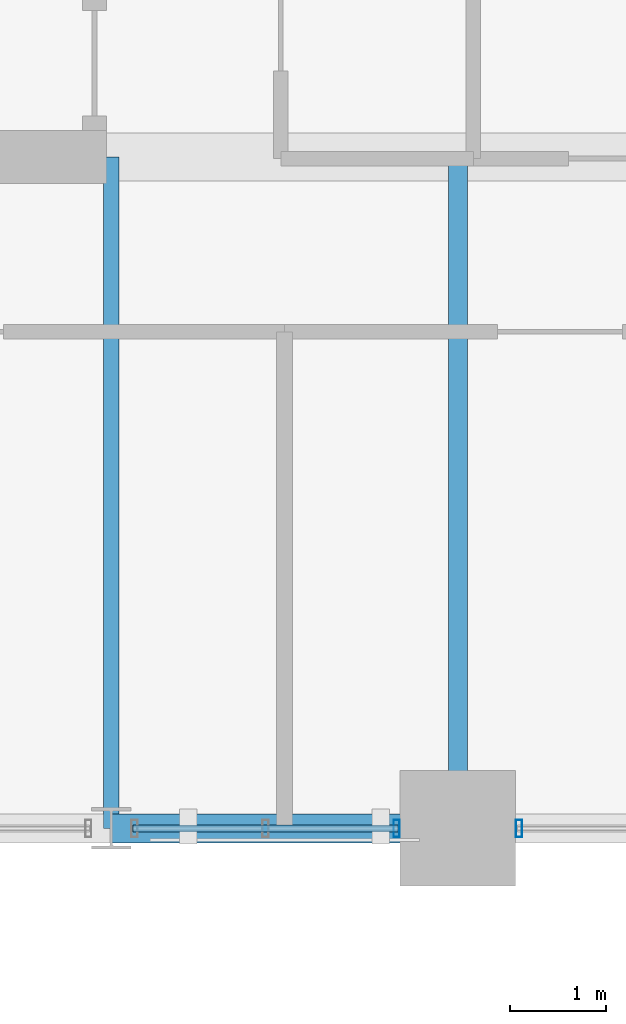
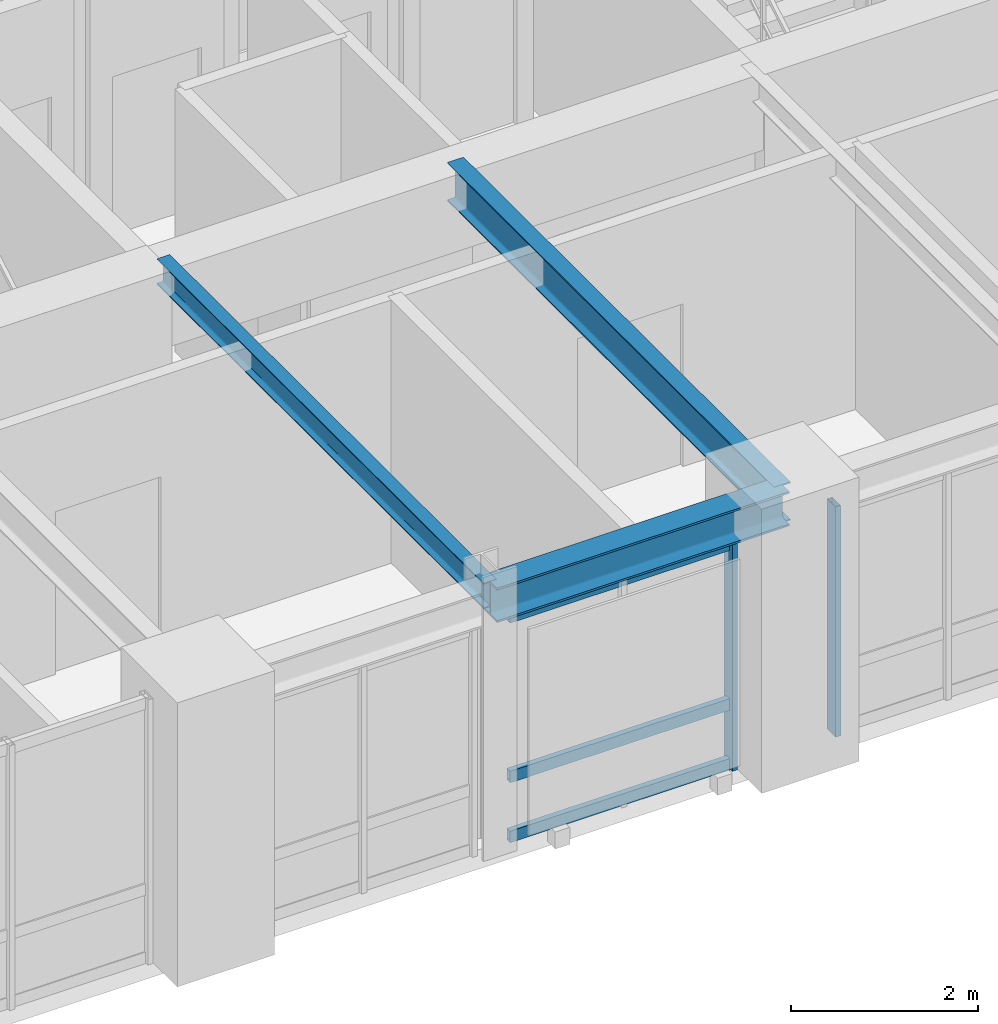
# One storey, part 3 of 16: 5 members, 3 beams, 2 elements without a shape of their own.
"""IFC4 building model written with IfcOpenShell, lengths in metres."""

from ifc_helpers import new_model, si_unit, direction, frame, origin, origin_2d, place, context, subcontext, project, spatial, hollow_rectangle, i_section, extrude, source, transform, mapped, material, layer, layer_set, material_profile, profile_set, type_object, element, aggregate, save


model = new_model("IFC4")

# Units and contexts
model_context = context("Model", 3, precision=1e-05, world=origin(), true_north=direction((0.0, 1.0)))
body_context = subcontext(model_context, "Body", "Model", "MODEL_VIEW")
ifc_project = project(units=[si_unit("LENGTHUNIT", "METRE"), si_unit("AREAUNIT", "SQUARE_METRE"), si_unit("VOLUMEUNIT", "CUBIC_METRE"), si_unit("PLANEANGLEUNIT", "RADIAN"), si_unit("MASSUNIT", "GRAM", prefix="KILO")], contexts=[model_context])

# Site, building, storey
site_placement = place(None, origin())
site = spatial("IfcSite", under=ifc_project, at=site_placement, CompositionType="ELEMENT")
building_placement = place(site_placement, origin())
building = spatial("IfcBuilding", under=site, at=building_placement, Name="Kaliganga Portal Commons", CompositionType="ELEMENT")
storey_placement = place(building_placement, frame((0.0, 0.0, 97.10009765625)))
storey = spatial("IfcBuildingStorey", under=building, at=storey_placement, Name="L24", CompositionType="ELEMENT", Elevation=97.10009765625)

# Beams
ifc_material_1 = material(Name="Structural steel S355J2", Category="steel")
ifc_material_profile_1 = material_profile(ifc_material_1, i_section(OverallWidth=0.199951171875, OverallDepth=0.5, WebThickness=0.01025390625, FlangeThickness=0.01611328125, FilletRadius=0.02099609375, at=origin_2d()), Name="IPE 500")
ifc_profile_set_1 = profile_set([ifc_material_profile_1], Name="Structural steel S355J2 wide-flange")
beam_type_1 = type_object("IfcBeamType", Name="BM-FLR-500", PredefinedType="BEAM", material=ifc_profile_set_1)
shared_shape_1 = source(origin(), body_context, "Body", "SweptSolid", [
    extrude(i_section(OverallWidth=0.199951171875, OverallDepth=0.5, WebThickness=0.01025390625, FlangeThickness=0.01611328125, FilletRadius=0.02099609375, at=origin_2d()), origin(), (0.0, 0.0, 1.0), 6.974853515625),
])
beam_1_placement = place(storey_placement, frame((21.60009765625, 21.60009765625, 3.199951171875), z_axis=(0.0, 1.0, 0.0), x_axis=(-1.0, 0.0, 0.0)))
element("IfcBeam", 1, at=beam_1_placement, inside=storey, type_object=beam_type_1, Name="BM G L24 AS216", PredefinedType="BEAM", context=body_context, shape_type="MappedRepresentation", body=[
    mapped(shared_shape_1, transform((0.0, 0.0, 0.0), x_axis=(1.0, 0.0, 0.0), y_axis=(0.0, 1.0, 0.0), z_axis=(0.0, 0.0, 1.0), scale=1.0)),
])
ifc_material_profile_2 = material_profile(ifc_material_1, i_section(OverallWidth=0.300048828125, OverallDepth=0.449951171875, WebThickness=0.013916015625, FlangeThickness=0.02587890625, FilletRadius=0.027099609375, at=origin_2d()), Name="HE 450 B")
ifc_profile_set_2 = profile_set([ifc_material_profile_2], Name="Structural steel S355J2 wide-flange")
beam_type_2 = type_object("IfcBeamType", Name="BM-SPAND-450", PredefinedType="SPANDREL", material=ifc_profile_set_2)
shared_shape_2 = source(origin(), body_context, "Body", "SweptSolid", [
    extrude(i_section(OverallWidth=0.300048828125, OverallDepth=0.449951171875, WebThickness=0.013916015625, FlangeThickness=0.02587890625, FilletRadius=0.027099609375, at=origin_2d()), origin(), (0.0, 0.0, 1.0), 3.60009765625),
])
beam_2_placement = place(storey_placement, frame((18.0, 21.60009765625, 3.224853515625), z_axis=(1.0, 0.0, 0.0), x_axis=(0.0, 1.0, 0.0)))
element("IfcBeam", 2, at=beam_2_placement, inside=storey, type_object=beam_type_2, Name="BM SP L24 AS 2", PredefinedType="SPANDREL", context=body_context, shape_type="MappedRepresentation", body=[
    mapped(shared_shape_2, transform((0.0, 0.0, 0.0), x_axis=(1.0, 0.0, 0.0), y_axis=(0.0, 1.0, 0.0), z_axis=(0.0, 0.0, 1.0), scale=1.0)),
])
ifc_material_profile_3 = material_profile(ifc_material_1, i_section(OverallWidth=0.159912109375, OverallDepth=0.330078125, WebThickness=0.007568359375, FlangeThickness=0.011474609375, FilletRadius=0.01806640625, at=origin_2d()), Name="IPE 330")
ifc_profile_set_3 = profile_set([ifc_material_profile_3], Name="Structural steel S355J2 wide-flange")
beam_type_3 = type_object("IfcBeamType", Name="BM-JST-330", PredefinedType="JOIST", material=ifc_profile_set_3)
shared_shape_3 = source(origin(), body_context, "Body", "SweptSolid", [
    extrude(i_section(OverallWidth=0.159912109375, OverallDepth=0.330078125, WebThickness=0.007568359375, FlangeThickness=0.011474609375, FilletRadius=0.01806640625, at=origin_2d()), origin(), (0.0, 0.0, 1.0), 6.974853515625),
])
beam_3_placement = place(storey_placement, frame((18.0, 21.60009765625, 3.284912109375), z_axis=(0.0, 1.0, 0.0), x_axis=(-1.0, 0.0, 0.0)))
element("IfcBeam", 3, at=beam_3_placement, inside=storey, type_object=beam_type_3, Name="BM G L24 AS180", PredefinedType="JOIST", context=body_context, shape_type="MappedRepresentation", body=[
    mapped(shared_shape_3, transform((0.0, 0.0, 0.0), x_axis=(1.0, 0.0, 0.0), y_axis=(0.0, 1.0, 0.0), z_axis=(0.0, 0.0, 1.0), scale=1.0)),
])

# Curtain wall, members
ifc_material_2 = material(Name="Anodized Aluminium and Laminated Low-E Glass", Category="aluminium")
ifc_layer = layer(ifc_material_2, 0.2099609375)
ifc_layer_set = layer_set([ifc_layer], Name="Anodized Aluminium and Laminated Low-E Glass")
curtain_wall_type = type_object("IfcCurtainWallType", Name="CW-SYS-03", PredefinedType="NOTDEFINED", material=ifc_layer_set)
curtain_wall_1_placement = place(storey_placement, origin())
curtain_wall_1 = element("IfcCurtainWall", 4, at=curtain_wall_1_placement, inside=storey, type_object=curtain_wall_type, Name="CW 03 L24 P1E04S3", PredefinedType="NOTDEFINED")
ifc_material_3 = material(Name="Dark Bronze Anodized Aluminium", Category="aluminium")
ifc_material_profile_4 = material_profile(ifc_material_3, hollow_rectangle(XDim=0.070068359375, YDim=0.14990234375, WallThickness=0.00341796875, at=origin_2d()), Name="ALU TRAN 70x150x3.5")
ifc_profile_set_4 = profile_set([ifc_material_profile_4], Name="Dark Bronze Anodized Aluminium")
member_type_1 = type_object("IfcMemberType", Name="CW-TRN-150", PredefinedType="USERDEFINED", material=ifc_profile_set_4)
shared_shape_4 = source(origin(), body_context, "Body", "SweptSolid", [
    extrude(hollow_rectangle(XDim=0.070068359375, YDim=0.14990234375, WallThickness=0.00341796875, at=origin_2d()), origin(), (0.0, 0.0, 1.0), 2.75341796875),
])
member_1_placement = place(storey_placement, frame((18.2255859375, 21.60009765625, 0.059814453125), z_axis=(1.0, 0.0, 0.0), x_axis=(0.0, 1.0, 0.0)))
member_1 = element("IfcMember", 5, at=member_1_placement, type_object=member_type_1, Name="CW:03:L24:P1E04S3 Transom 1", ObjectType="TRANSOM", PredefinedType="USERDEFINED", context=body_context, shape_type="MappedRepresentation", body=[
    mapped(shared_shape_4, transform((0.0, 0.0, 0.0), x_axis=(1.0, 0.0, 0.0), y_axis=(0.0, 1.0, 0.0), z_axis=(0.0, 0.0, 1.0), scale=1.0)),
])
member_2_placement = place(storey_placement, frame((18.2255859375, 21.60009765625, 0.83984375), z_axis=(1.0, 0.0, 0.0), x_axis=(0.0, 1.0, 0.0)))
member_2 = element("IfcMember", 6, at=member_2_placement, type_object=member_type_1, Name="CW:03:L24:P1E04S3 Transom 2", ObjectType="TRANSOM", PredefinedType="USERDEFINED", context=body_context, shape_type="MappedRepresentation", body=[
    mapped(shared_shape_4, transform((0.0, 0.0, 0.0), x_axis=(1.0, 0.0, 0.0), y_axis=(0.0, 1.0, 0.0), z_axis=(0.0, 0.0, 1.0), scale=1.0)),
])
member_3_placement = place(storey_placement, frame((18.2255859375, 21.60009765625, 2.919921875), z_axis=(1.0, 0.0, 0.0), x_axis=(0.0, 1.0, 0.0)))
member_3 = element("IfcMember", 7, at=member_3_placement, type_object=member_type_1, Name="CW:03:L24:P1E04S3 Transom 3", ObjectType="TRANSOM", PredefinedType="USERDEFINED", context=body_context, shape_type="MappedRepresentation", body=[
    mapped(shared_shape_4, transform((0.0, 0.0, 0.0), x_axis=(1.0, 0.0, 0.0), y_axis=(0.0, 1.0, 0.0), z_axis=(0.0, 0.0, 1.0), scale=1.0)),
])
ifc_material_profile_5 = material_profile(ifc_material_3, hollow_rectangle(XDim=0.06494140625, YDim=0.179931640625, WallThickness=0.00390625, at=origin_2d()), Name="ALU MULL 65x180x4")
ifc_profile_set_5 = profile_set([ifc_material_profile_5], Name="Dark Bronze Anodized Aluminium")
member_type_2 = type_object("IfcMemberType", Name="CW-MUL-180", PredefinedType="MULLION", material=ifc_profile_set_5)
shared_shape_5 = source(origin(), body_context, "Body", "SweptSolid", [
    extrude(hollow_rectangle(XDim=0.06494140625, YDim=0.179931640625, WallThickness=0.00390625, at=origin_2d()), origin(), (0.0, 0.0, 1.0), 3.0),
])
member_4_placement = place(storey_placement, frame((20.964111328125, 21.60009765625, 0.0), z_axis=(0.0, 0.0, 1.0), x_axis=(1.0, 0.0, 0.0)))
member_4 = element("IfcMember", 8, at=member_4_placement, type_object=member_type_2, Name="CW:03:L24:P1E04S3 Mullion 02", PredefinedType="MULLION", context=body_context, shape_type="MappedRepresentation", body=[
    mapped(shared_shape_5, transform((0.0, 0.0, 0.0), x_axis=(1.0, 0.0, 0.0), y_axis=(0.0, 1.0, 0.0), z_axis=(0.0, 0.0, 1.0), scale=1.0)),
])
aggregate(curtain_wall_1, [member_4, member_1, member_2, member_3])

# Curtain wall, member
curtain_wall_2_placement = place(storey_placement, origin())
curtain_wall_2 = element("IfcCurtainWall", 9, at=curtain_wall_2_placement, inside=storey, type_object=curtain_wall_type, Name="CW 03 L24 P1E04S4", PredefinedType="NOTDEFINED")
member_5_placement = place(storey_placement, frame((22.236083984375, 21.60009765625, 0.0), z_axis=(0.0, 0.0, 1.0), x_axis=(1.0, 0.0, 0.0)))
member_5 = element("IfcMember", 10, at=member_5_placement, type_object=member_type_2, Name="CW:03:L24:P1E04S4 Mullion 00", PredefinedType="MULLION", context=body_context, shape_type="MappedRepresentation", body=[
    mapped(shared_shape_5, transform((0.0, 0.0, 0.0), x_axis=(1.0, 0.0, 0.0), y_axis=(0.0, 1.0, 0.0), z_axis=(0.0, 0.0, 1.0), scale=1.0)),
])
aggregate(curtain_wall_2, [member_5])

save(model, "model.ifc")
